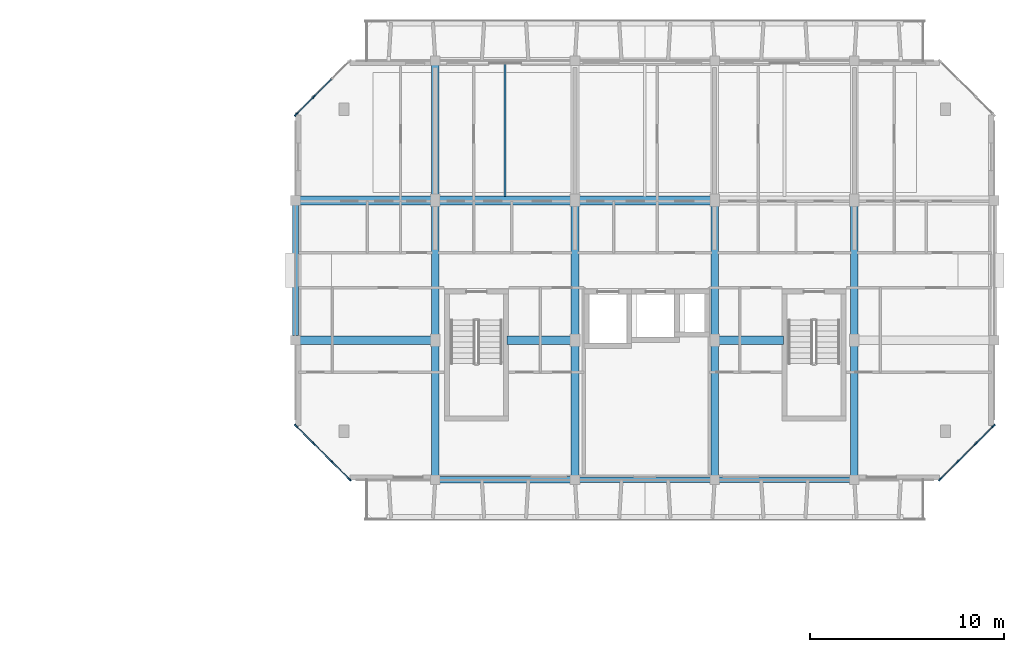
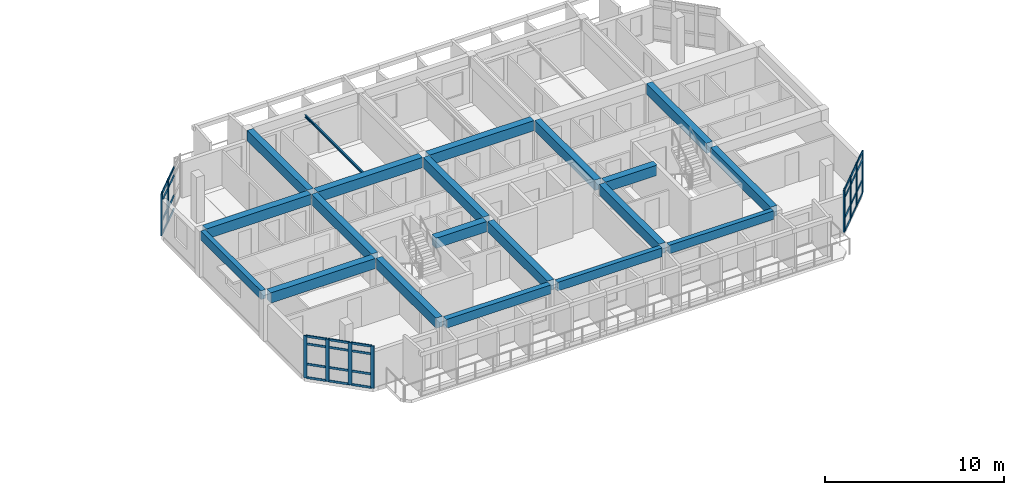
# One storey, part 9 of 40: 42 members, 20 beams, 3 elements without a shape of their own.
"""IFC4 building model written with IfcOpenShell, lengths in metres."""

from ifc_helpers import new_model, si_unit, direction, frame, origin, origin_2d, place, context, subcontext, project, spatial, rectangle, i_section, extrude, material, layer, layer_set, material_profile, profile_set, type_object, element, aggregate, save


model = new_model("IFC4")

# Units and contexts
model_context = context("Model", 3, precision=1e-05, world=origin(), true_north=direction((0.0, 1.0)))
body_context = subcontext(model_context, "Body", "Model", "MODEL_VIEW")
ifc_project = project(units=[si_unit("LENGTHUNIT", "METRE"), si_unit("AREAUNIT", "SQUARE_METRE"), si_unit("VOLUMEUNIT", "CUBIC_METRE"), si_unit("PLANEANGLEUNIT", "RADIAN"), si_unit("MASSUNIT", "GRAM", prefix="KILO")], contexts=[model_context])

# Site, building, storey
site_placement = place(None, origin())
site = spatial("IfcSite", under=ifc_project, at=site_placement, CompositionType="ELEMENT")
building_placement = place(site_placement, origin())
building = spatial("IfcBuilding", under=site, at=building_placement, Name="Ochrevale Crest", CompositionType="ELEMENT")
storey_placement = place(building_placement, frame((0.0, 0.0, 27.60009765625)))
storey = spatial("IfcBuildingStorey", under=building, at=storey_placement, Name="L08", CompositionType="ELEMENT", Elevation=27.60009765625)

# Beams
ifc_material_1 = material(Name="Precast concrete C50/60", Category="concrete")
ifc_material_profile_1 = material_profile(ifc_material_1, rectangle(XDim=0.39990234375, YDim=0.699951171875, at=origin_2d()), Name="PC 400x700")
ifc_profile_set_1 = profile_set([ifc_material_profile_1], Name="Precast concrete C50/60")
beam_type_1 = type_object("IfcBeamType", Name="BM-PC400x700", PredefinedType="BEAM", material=ifc_profile_set_1)
for number, where, z_axis, x_axis, name in (
    (1, (136.800048828125, 72.22998046875, 2.7998046875), (0.0, 1.0, 0.0), (-1.0, 0.0, 0.0), "Block D L08 N-S beam X=136.8"),
    (2, (136.800048828125, 79.429931640625, 2.7998046875), (0.0, 1.0, 0.0), (-1.0, 0.0, 0.0), "Block D L08 N-S beam X=136.8"),
):
    element("IfcBeam", number, at=place(storey_placement, frame(where, z_axis=z_axis, x_axis=x_axis)), inside=storey, type_object=beam_type_1, Name=name, PredefinedType="BEAM", context=body_context, shape_type="SweptSolid", body=[
        extrude(rectangle(XDim=0.39990234375, YDim=0.699951171875, at=origin_2d()), origin(), (0.0, 0.0, 1.0), 6.739990234375),
    ])
beam_1_placement = place(storey_placement, frame((136.800048828125, 86.6298828125, 2.7998046875), z_axis=(0.0, 1.0, 0.0), x_axis=(-1.0, 0.0, 0.0)))
element("IfcBeam", 3, at=beam_1_placement, inside=storey, type_object=beam_type_1, Name="Block D L08 N-S beam X=136.8", PredefinedType="BEAM", context=body_context, shape_type="SweptSolid", body=[
    extrude(rectangle(XDim=0.39990234375, YDim=0.699951171875, at=origin_2d()), origin(), (0.0, 0.0, 1.0), 6.740234375),
])
for number, where, z_axis, x_axis, name in (
    (4, (144.0, 72.22998046875, 2.7998046875), (0.0, 1.0, 0.0), (-1.0, 0.0, 0.0), "Block D L08 N-S beam X=144.0"),
    (5, (144.0, 79.429931640625, 2.7998046875), (0.0, 1.0, 0.0), (-1.0, 0.0, 0.0), "Block D L08 N-S beam X=144.0"),
    (6, (151.199951171875, 72.22998046875, 2.7998046875), (0.0, 1.0, 0.0), (-1.0, 0.0, 0.0), "Block D L08 N-S beam X=151.2"),
    (7, (151.199951171875, 79.429931640625, 2.7998046875), (0.0, 1.0, 0.0), (-1.0, 0.0, 0.0), "Block D L08 N-S beam X=151.2"),
    (8, (158.39990234375, 72.22998046875, 2.7998046875), (0.0, 1.0, 0.0), (-1.0, 0.0, 0.0), "Block D L08 N-S beam X=158.4"),
    (9, (158.39990234375, 79.429931640625, 2.7998046875), (0.0, 1.0, 0.0), (-1.0, 0.0, 0.0), "Block D L08 N-S beam X=158.4"),
):
    element("IfcBeam", number, at=place(storey_placement, frame(where, z_axis=z_axis, x_axis=x_axis)), inside=storey, type_object=beam_type_1, Name=name, PredefinedType="BEAM", context=body_context, shape_type="SweptSolid", body=[
        extrude(rectangle(XDim=0.39990234375, YDim=0.699951171875, at=origin_2d()), origin(), (0.0, 0.0, 1.0), 6.739990234375),
    ])
ifc_material_2 = material(Name="Concrete C50/60", Category="concrete")
ifc_material_profile_2 = material_profile(ifc_material_2, rectangle(XDim=0.449951171875, YDim=0.699951171875, at=origin_2d()), Name="RC 450x700")
ifc_profile_set_2 = profile_set([ifc_material_profile_2], Name="Concrete C50/60")
beam_type_2 = type_object("IfcBeamType", Name="BM-PG450x700", PredefinedType="USERDEFINED", material=ifc_profile_set_2)
beam_2_placement = place(storey_placement, frame((129.824951171875, 79.199951171875, 2.7998046875), z_axis=(1.0, 0.0, 0.0), x_axis=(0.0, 1.0, 0.0)))
element("IfcBeam", 10, at=beam_2_placement, inside=storey, type_object=beam_type_2, Name="Block D L08 E-W beam Y=79.2", ObjectType="GIRDER", PredefinedType="USERDEFINED", context=body_context, shape_type="SweptSolid", body=[
    extrude(rectangle(XDim=0.449951171875, YDim=0.699951171875, at=origin_2d()), origin(), (0.0, 0.0, 1.0), 6.75),
])
beam_3_placement = place(storey_placement, frame((140.489990234375, 79.199951171875, 2.7998046875), z_axis=(1.0, 0.0, 0.0), x_axis=(0.0, 1.0, 0.0)))
element("IfcBeam", 11, at=beam_3_placement, inside=storey, type_object=beam_type_2, Name="Block D L08 E-W beam Y=79.2", ObjectType="GIRDER", PredefinedType="USERDEFINED", context=body_context, shape_type="SweptSolid", body=[
    extrude(rectangle(XDim=0.449951171875, YDim=0.699951171875, at=origin_2d()), origin(), (0.0, 0.0, 1.0), 3.284912109375),
])
beam_4_placement = place(storey_placement, frame((151.425048828125, 79.199951171875, 2.7998046875), z_axis=(1.0, 0.0, 0.0), x_axis=(0.0, 1.0, 0.0)))
element("IfcBeam", 12, at=beam_4_placement, inside=storey, type_object=beam_type_2, Name="Block D L08 E-W beam Y=79.2", ObjectType="GIRDER", PredefinedType="USERDEFINED", context=body_context, shape_type="SweptSolid", body=[
    extrude(rectangle(XDim=0.449951171875, YDim=0.699951171875, at=origin_2d()), origin(), (0.0, 0.0, 1.0), 3.3349609375),
])
for number, where, z_axis, x_axis, name in (
    (13, (129.824951171875, 86.39990234375, 2.7998046875), (1.0, 0.0, 0.0), (0.0, 1.0, 0.0), "Block D L08 E-W beam Y=86.4"),
    (14, (137.02490234375, 86.39990234375, 2.7998046875), (1.0, 0.0, 0.0), (0.0, 1.0, 0.0), "Block D L08 E-W beam Y=86.4"),
    (15, (144.22509765625, 86.39990234375, 2.7998046875), (1.0, 0.0, 0.0), (0.0, 1.0, 0.0), "Block D L08 E-W beam Y=86.4"),
):
    element("IfcBeam", number, at=place(storey_placement, frame(where, z_axis=z_axis, x_axis=x_axis)), inside=storey, type_object=beam_type_2, Name=name, ObjectType="GIRDER", PredefinedType="USERDEFINED", context=body_context, shape_type="SweptSolid", body=[
        extrude(rectangle(XDim=0.449951171875, YDim=0.699951171875, at=origin_2d()), origin(), (0.0, 0.0, 1.0), 6.75),
    ])
ifc_material_3 = material(Name="Precast concrete C40/50", Category="concrete")
ifc_material_profile_3 = material_profile(ifc_material_3, rectangle(XDim=0.300048828125, YDim=0.580078125, at=origin_2d()), Name="PC 300x580")
ifc_profile_set_3 = profile_set([ifc_material_profile_3], Name="Precast concrete C40/50")
beam_type_3 = type_object("IfcBeamType", Name="BM-SP300x580", PredefinedType="SPANDREL", material=ifc_profile_set_3)
beam_5_placement = place(storey_placement, frame((151.425048828125, 72.0, 2.85986328125), z_axis=(1.0, 0.0, 0.0), x_axis=(0.0, 1.0, 0.0)))
element("IfcBeam", 16, at=beam_5_placement, inside=storey, type_object=beam_type_3, Name="Block D L08 E-W beam Y=72.0", PredefinedType="SPANDREL", context=body_context, shape_type="SweptSolid", body=[
    extrude(rectangle(XDim=0.300048828125, YDim=0.580078125, at=origin_2d()), origin(), (0.0, 0.0, 1.0), 6.75),
])
ifc_material_profile_4 = material_profile(ifc_material_3, rectangle(XDim=0.300048828125, YDim=0.60009765625, at=origin_2d()), Name="PC 300x600")
ifc_profile_set_4 = profile_set([ifc_material_profile_4], Name="Precast concrete C40/50")
beam_type_4 = type_object("IfcBeamType", Name="BM-SP300x600", PredefinedType="SPANDREL", material=ifc_profile_set_4)
beam_6_placement = place(storey_placement, frame((144.22509765625, 72.0, 2.849853515625), z_axis=(1.0, 0.0, 0.0), x_axis=(0.0, 1.0, 0.0)))
element("IfcBeam", 17, at=beam_6_placement, inside=storey, type_object=beam_type_4, Name="Block D L08 E-W beam Y=72.0", PredefinedType="SPANDREL", context=body_context, shape_type="SweptSolid", body=[
    extrude(rectangle(XDim=0.300048828125, YDim=0.60009765625, at=origin_2d()), origin(), (0.0, 0.0, 1.0), 6.75),
])
beam_7_placement = place(storey_placement, frame((129.60009765625, 79.429931640625, 2.849853515625), z_axis=(0.0, 1.0, 0.0), x_axis=(-1.0, 0.0, 0.0)))
element("IfcBeam", 18, at=beam_7_placement, inside=storey, type_object=beam_type_4, Name="Block D L08 N-S beam X=129.6", PredefinedType="SPANDREL", context=body_context, shape_type="SweptSolid", body=[
    extrude(rectangle(XDim=0.300048828125, YDim=0.60009765625, at=origin_2d()), origin(), (0.0, 0.0, 1.0), 6.739990234375),
])
ifc_material_profile_5 = material_profile(ifc_material_3, rectangle(XDim=0.35009765625, YDim=0.60009765625, at=origin_2d()), Name="PC 350x600")
ifc_profile_set_5 = profile_set([ifc_material_profile_5], Name="Precast concrete C40/50")
beam_type_5 = type_object("IfcBeamType", Name="BM-SP350x600", PredefinedType="SPANDREL", material=ifc_profile_set_5)
beam_8_placement = place(storey_placement, frame((137.02490234375, 72.0, 2.849853515625), z_axis=(1.0, 0.0, 0.0), x_axis=(0.0, 1.0, 0.0)))
element("IfcBeam", 19, at=beam_8_placement, inside=storey, type_object=beam_type_5, Name="Block D L08 E-W beam Y=72.0", PredefinedType="SPANDREL", context=body_context, shape_type="SweptSolid", body=[
    extrude(rectangle(XDim=0.35009765625, YDim=0.60009765625, at=origin_2d()), origin(), (0.0, 0.0, 1.0), 6.75),
])
ifc_material_4 = material(Name="Steel S355", Category="steel")
ifc_material_profile_6 = material_profile(ifc_material_4, i_section(OverallWidth=0.090087890625, OverallDepth=0.1787109375, WebThickness=0.006103515625, FlangeThickness=0.010009765625, FilletRadius=0.0087890625, at=origin_2d()), Name="180UB22.2")
ifc_profile_set_6 = profile_set([ifc_material_profile_6], Name="Steel S355")
beam_type_6 = type_object("IfcBeamType", Name="BM-UB180", PredefinedType="JOIST", material=ifc_profile_set_6)
beam_9_placement = place(storey_placement, frame((140.39990234375, 86.613037109375, 2.785400390625), z_axis=(0.0, 1.0, 0.0), x_axis=(-1.0, 0.0, 0.0)))
element("IfcBeam", 20, at=beam_9_placement, inside=storey, type_object=beam_type_6, Name="Block D L08 composite plank trimmer beam 2", PredefinedType="JOIST", context=body_context, shape_type="SweptSolid", body=[
    extrude(i_section(OverallWidth=0.090087890625, OverallDepth=0.1787109375, WebThickness=0.006103515625, FlangeThickness=0.010009765625, FilletRadius=0.0087890625, at=origin_2d()), origin(), (0.0, 0.0, 1.0), 6.823974609375),
])

# Curtain wall, members
ifc_material_5 = material(Name="Anodised aluminium 6063-T5", Category="aluminium")
ifc_layer_1 = layer(ifc_material_5, 0.14990234375)
ifc_layer_set_1 = layer_set([ifc_layer_1], Name="Anodised aluminium 6063-T5")
curtain_wall_type_1 = type_object("IfcCurtainWallType", Name="CW-WG-240x285", PredefinedType="NOTDEFINED", material=ifc_layer_set_1)
curtain_wall_1_placement = place(storey_placement, origin())
curtain_wall_1 = element("IfcCurtainWall", 21, at=curtain_wall_1_placement, inside=storey, type_object=curtain_wall_type_1, Name="Block D L08 chamfered corner wintergarden curtain wall 2", PredefinedType="NOTDEFINED")
ifc_material_profile_7 = material_profile(ifc_material_5, rectangle(XDim=0.074951171875, YDim=0.219970703125, at=origin_2d()), Name="ALU 75x220")
ifc_profile_set_7 = profile_set([ifc_material_profile_7], Name="Anodised aluminium 6063-T5")
member_type_1 = type_object("IfcMemberType", Name="CW-MUL-75x220", PredefinedType="MULLION", material=ifc_profile_set_7)
member_1_placement = place(storey_placement, frame((162.826416015625, 72.026611328125, 0.0), z_axis=(0.0, 0.0, 1.0), x_axis=(-0.707106781187, 0.707106781187, 0.0)))
member_1 = element("IfcMember", 22, at=member_1_placement, type_object=member_type_1, Name="CW15 mullion 1", PredefinedType="MULLION", context=body_context, shape_type="SweptSolid", body=[
    extrude(rectangle(XDim=0.074951171875, YDim=0.219970703125, at=origin_2d()), origin(), (0.0, 0.0, 1.0), 2.875),
])
member_2_placement = place(storey_placement, frame((163.7333984375, 72.933349609375, 0.0), z_axis=(0.0, 0.0, 1.0), x_axis=(-0.707106781187, 0.707106781187, 0.0)))
member_2 = element("IfcMember", 23, at=member_2_placement, type_object=member_type_1, Name="CW15 mullion 2", PredefinedType="MULLION", context=body_context, shape_type="SweptSolid", body=[
    extrude(rectangle(XDim=0.074951171875, YDim=0.219970703125, at=origin_2d()), origin(), (0.0, 0.0, 1.0), 2.875),
])
member_3_placement = place(storey_placement, frame((164.666748046875, 73.86669921875, 0.0), z_axis=(0.0, 0.0, 1.0), x_axis=(-0.707106781187, 0.707106781187, 0.0)))
member_3 = element("IfcMember", 24, at=member_3_placement, type_object=member_type_1, Name="CW15 mullion 3", PredefinedType="MULLION", context=body_context, shape_type="SweptSolid", body=[
    extrude(rectangle(XDim=0.074951171875, YDim=0.219970703125, at=origin_2d()), origin(), (0.0, 0.0, 1.0), 2.875),
])
member_4_placement = place(storey_placement, frame((165.573486328125, 74.7734375, 0.0), z_axis=(0.0, 0.0, 1.0), x_axis=(-0.707106781187, 0.707106781187, 0.0)))
member_4 = element("IfcMember", 25, at=member_4_placement, type_object=member_type_1, Name="CW15 mullion 4", PredefinedType="MULLION", context=body_context, shape_type="SweptSolid", body=[
    extrude(rectangle(XDim=0.074951171875, YDim=0.219970703125, at=origin_2d()), origin(), (0.0, 0.0, 1.0), 2.875),
])

ifc_layer_2 = layer(ifc_material_5, 0.14990234375)
ifc_layer_set_2 = layer_set([ifc_layer_2], Name="Anodised aluminium 6063-T5")
curtain_wall_type_2 = type_object("IfcCurtainWallType", Name="CW-WG-420x285", PredefinedType="NOTDEFINED", material=ifc_layer_set_2)
curtain_wall_2_placement = place(storey_placement, origin())
curtain_wall_2 = element("IfcCurtainWall", 26, at=curtain_wall_2_placement, inside=storey, type_object=curtain_wall_type_2, Name="Block D L08 chamfered corner wintergarden curtain wall 6", PredefinedType="NOTDEFINED")
member_5_placement = place(storey_placement, frame((130.533447265625, 91.7333984375, 0.0), z_axis=(0.0, 0.0, 1.0), x_axis=(0.707106781187, -0.707106781187, 0.0)))
member_5 = element("IfcMember", 27, at=member_5_placement, type_object=member_type_1, Name="CW22 mullion 3", PredefinedType="MULLION", context=body_context, shape_type="SweptSolid", body=[
    extrude(rectangle(XDim=0.074951171875, YDim=0.219970703125, at=origin_2d()), origin(), (0.0, 0.0, 1.0), 2.875),
])
member_6_placement = place(storey_placement, frame((129.62646484375, 90.826416015625, 0.0), z_axis=(0.0, 0.0, 1.0), x_axis=(0.707106781187, -0.707106781187, 0.0)))
member_6 = element("IfcMember", 28, at=member_6_placement, type_object=member_type_1, Name="CW22 mullion 4", PredefinedType="MULLION", context=body_context, shape_type="SweptSolid", body=[
    extrude(rectangle(XDim=0.074951171875, YDim=0.219970703125, at=origin_2d()), origin(), (0.0, 0.0, 1.0), 2.875),
])

ifc_layer_3 = layer(ifc_material_5, 0.14990234375)
ifc_layer_set_3 = layer_set([ifc_layer_3], Name="Anodised aluminium 6063-T5")
curtain_wall_type_3 = type_object("IfcCurtainWallType", Name="CW-WG-280x285", PredefinedType="NOTDEFINED", material=ifc_layer_set_3)
curtain_wall_3_placement = place(storey_placement, origin())
curtain_wall_3 = element("IfcCurtainWall", 29, at=curtain_wall_3_placement, inside=storey, type_object=curtain_wall_type_3, Name="Block D L08 chamfered corner wintergarden curtain wall 8", PredefinedType="NOTDEFINED")
member_7_placement = place(storey_placement, frame((129.62646484375, 74.7734375, 0.0), z_axis=(0.0, 0.0, 1.0), x_axis=(0.707106781187, 0.707106781187, 0.0)))
member_7 = element("IfcMember", 30, at=member_7_placement, type_object=member_type_1, Name="CW16 mullion 1", PredefinedType="MULLION", context=body_context, shape_type="SweptSolid", body=[
    extrude(rectangle(XDim=0.074951171875, YDim=0.219970703125, at=origin_2d()), origin(), (0.0, 0.0, 1.0), 2.875),
])
member_8_placement = place(storey_placement, frame((130.533447265625, 73.86669921875, 0.0), z_axis=(0.0, 0.0, 1.0), x_axis=(0.707106781187, 0.707106781187, 0.0)))
member_8 = element("IfcMember", 31, at=member_8_placement, type_object=member_type_1, Name="CW16 mullion 2", PredefinedType="MULLION", context=body_context, shape_type="SweptSolid", body=[
    extrude(rectangle(XDim=0.074951171875, YDim=0.219970703125, at=origin_2d()), origin(), (0.0, 0.0, 1.0), 2.875),
])
member_9_placement = place(storey_placement, frame((131.466552734375, 72.933349609375, 0.0), z_axis=(0.0, 0.0, 1.0), x_axis=(0.707106781187, 0.707106781187, 0.0)))
member_9 = element("IfcMember", 32, at=member_9_placement, type_object=member_type_1, Name="CW16 mullion 3", PredefinedType="MULLION", context=body_context, shape_type="SweptSolid", body=[
    extrude(rectangle(XDim=0.074951171875, YDim=0.219970703125, at=origin_2d()), origin(), (0.0, 0.0, 1.0), 2.875),
])
member_10_placement = place(storey_placement, frame((132.37353515625, 72.026611328125, 0.0), z_axis=(0.0, 0.0, 1.0), x_axis=(0.707106781187, 0.707106781187, 0.0)))
member_10 = element("IfcMember", 33, at=member_10_placement, type_object=member_type_1, Name="CW16 mullion 4", PredefinedType="MULLION", context=body_context, shape_type="SweptSolid", body=[
    extrude(rectangle(XDim=0.074951171875, YDim=0.219970703125, at=origin_2d()), origin(), (0.0, 0.0, 1.0), 2.875),
])

# Member
ifc_material_profile_8 = material_profile(ifc_material_5, rectangle(XDim=0.06005859375, YDim=0.14990234375, at=origin_2d()), Name="ALU 60x150")
ifc_profile_set_8 = profile_set([ifc_material_profile_8], Name="Anodised aluminium 6063-T5")
member_type_2 = type_object("IfcMemberType", Name="CW-TRN-60x150", PredefinedType="USERDEFINED", material=ifc_profile_set_8)
member_11_placement = place(storey_placement, frame((162.85302734375, 72.052978515625, 0.02978515625), z_axis=(0.707106781187, 0.707106781187, 0.0), x_axis=(-0.707106781187, 0.707106781187, 0.0)))
member_11 = element("IfcMember", 34, at=member_11_placement, type_object=member_type_2, Name="CW15 transom 1.1", ObjectType="TRANSOM", PredefinedType="USERDEFINED", context=body_context, shape_type="SweptSolid", body=[
    extrude(rectangle(XDim=0.06005859375, YDim=0.14990234375, at=origin_2d()), origin(), (0.0, 0.0, 1.0), 1.20751953125),
])

member_12_placement = place(storey_placement, frame((162.85302734375, 72.052978515625, 0.949951171875), z_axis=(0.707106781187, 0.707106781187, 0.0), x_axis=(-0.707106781187, 0.707106781187, 0.0)))
member_12 = element("IfcMember", 35, at=member_12_placement, type_object=member_type_2, Name="CW15 transom 1.2", ObjectType="TRANSOM", PredefinedType="USERDEFINED", context=body_context, shape_type="SweptSolid", body=[
    extrude(rectangle(XDim=0.06005859375, YDim=0.14990234375, at=origin_2d()), origin(), (0.0, 0.0, 1.0), 1.20751953125),
])

member_13_placement = place(storey_placement, frame((162.85302734375, 72.052978515625, 2.324951171875), z_axis=(0.707106781187, 0.707106781187, 0.0), x_axis=(-0.707106781187, 0.707106781187, 0.0)))
member_13 = element("IfcMember", 36, at=member_13_placement, type_object=member_type_2, Name="CW15 transom 1.3", ObjectType="TRANSOM", PredefinedType="USERDEFINED", context=body_context, shape_type="SweptSolid", body=[
    extrude(rectangle(XDim=0.06005859375, YDim=0.14990234375, at=origin_2d()), origin(), (0.0, 0.0, 1.0), 1.20751953125),
])

member_14_placement = place(storey_placement, frame((162.85302734375, 72.052978515625, 2.844970703125), z_axis=(0.707106781187, 0.707106781187, 0.0), x_axis=(-0.707106781187, 0.707106781187, 0.0)))
member_14 = element("IfcMember", 37, at=member_14_placement, type_object=member_type_2, Name="CW15 transom 1.4", ObjectType="TRANSOM", PredefinedType="USERDEFINED", context=body_context, shape_type="SweptSolid", body=[
    extrude(rectangle(XDim=0.06005859375, YDim=0.14990234375, at=origin_2d()), origin(), (0.0, 0.0, 1.0), 1.20751953125),
])

member_15_placement = place(storey_placement, frame((163.759765625, 72.9599609375, 0.02978515625), z_axis=(0.707204833848, 0.707008714926, 0.0), x_axis=(-0.707008714926, 0.707204833848, 0.0)))
member_15 = element("IfcMember", 38, at=member_15_placement, type_object=member_type_2, Name="CW15 transom 2.1", ObjectType="TRANSOM", PredefinedType="USERDEFINED", context=body_context, shape_type="SweptSolid", body=[
    extrude(rectangle(XDim=0.06005859375, YDim=0.14990234375, at=origin_2d()), origin(), (0.0, 0.0, 1.0), 1.244873046875),
])

member_16_placement = place(storey_placement, frame((163.759765625, 72.9599609375, 0.949951171875), z_axis=(0.707204833848, 0.707008714926, 0.0), x_axis=(-0.707008714926, 0.707204833848, 0.0)))
member_16 = element("IfcMember", 39, at=member_16_placement, type_object=member_type_2, Name="CW15 transom 2.2", ObjectType="TRANSOM", PredefinedType="USERDEFINED", context=body_context, shape_type="SweptSolid", body=[
    extrude(rectangle(XDim=0.06005859375, YDim=0.14990234375, at=origin_2d()), origin(), (0.0, 0.0, 1.0), 1.244873046875),
])

member_17_placement = place(storey_placement, frame((163.759765625, 72.9599609375, 2.324951171875), z_axis=(0.707204833848, 0.707008714926, 0.0), x_axis=(-0.707008714926, 0.707204833848, 0.0)))
member_17 = element("IfcMember", 40, at=member_17_placement, type_object=member_type_2, Name="CW15 transom 2.3", ObjectType="TRANSOM", PredefinedType="USERDEFINED", context=body_context, shape_type="SweptSolid", body=[
    extrude(rectangle(XDim=0.06005859375, YDim=0.14990234375, at=origin_2d()), origin(), (0.0, 0.0, 1.0), 1.244873046875),
])

member_18_placement = place(storey_placement, frame((163.759765625, 72.9599609375, 2.844970703125), z_axis=(0.707204833848, 0.707008714926, 0.0), x_axis=(-0.707008714926, 0.707204833848, 0.0)))
member_18 = element("IfcMember", 41, at=member_18_placement, type_object=member_type_2, Name="CW15 transom 2.4", ObjectType="TRANSOM", PredefinedType="USERDEFINED", context=body_context, shape_type="SweptSolid", body=[
    extrude(rectangle(XDim=0.06005859375, YDim=0.14990234375, at=origin_2d()), origin(), (0.0, 0.0, 1.0), 1.244873046875),
])

member_19_placement = place(storey_placement, frame((164.693115234375, 73.89306640625, 0.02978515625), z_axis=(0.707005686502, 0.70720786142, 0.0), x_axis=(-0.70720786142, 0.707005686502, 0.0)))
member_19 = element("IfcMember", 42, at=member_19_placement, type_object=member_type_2, Name="CW15 transom 3.1", ObjectType="TRANSOM", PredefinedType="USERDEFINED", context=body_context, shape_type="SweptSolid", body=[
    extrude(rectangle(XDim=0.06005859375, YDim=0.14990234375, at=origin_2d()), origin(), (0.0, 0.0, 1.0), 1.20751953125),
])

member_20_placement = place(storey_placement, frame((164.693115234375, 73.89306640625, 0.949951171875), z_axis=(0.707005686502, 0.70720786142, 0.0), x_axis=(-0.70720786142, 0.707005686502, 0.0)))
member_20 = element("IfcMember", 43, at=member_20_placement, type_object=member_type_2, Name="CW15 transom 3.2", ObjectType="TRANSOM", PredefinedType="USERDEFINED", context=body_context, shape_type="SweptSolid", body=[
    extrude(rectangle(XDim=0.06005859375, YDim=0.14990234375, at=origin_2d()), origin(), (0.0, 0.0, 1.0), 1.20751953125),
])

member_21_placement = place(storey_placement, frame((164.693115234375, 73.89306640625, 2.324951171875), z_axis=(0.707005686502, 0.70720786142, 0.0), x_axis=(-0.70720786142, 0.707005686502, 0.0)))
member_21 = element("IfcMember", 44, at=member_21_placement, type_object=member_type_2, Name="CW15 transom 3.3", ObjectType="TRANSOM", PredefinedType="USERDEFINED", context=body_context, shape_type="SweptSolid", body=[
    extrude(rectangle(XDim=0.06005859375, YDim=0.14990234375, at=origin_2d()), origin(), (0.0, 0.0, 1.0), 1.20751953125),
])

member_22_placement = place(storey_placement, frame((164.693115234375, 73.89306640625, 2.844970703125), z_axis=(0.707005686502, 0.70720786142, 0.0), x_axis=(-0.70720786142, 0.707005686502, 0.0)))
member_22 = element("IfcMember", 45, at=member_22_placement, type_object=member_type_2, Name="CW15 transom 3.4", ObjectType="TRANSOM", PredefinedType="USERDEFINED", context=body_context, shape_type="SweptSolid", body=[
    extrude(rectangle(XDim=0.06005859375, YDim=0.14990234375, at=origin_2d()), origin(), (0.0, 0.0, 1.0), 1.20751953125),
])

aggregate(curtain_wall_1, [member_1, member_2, member_3, member_4, member_11, member_12, member_13, member_14, member_15, member_16, member_17, member_18, member_19, member_20, member_21, member_22])

member_23_placement = place(storey_placement, frame((131.440185546875, 92.64013671875, 0.02978515625), z_axis=(-0.707106781187, -0.707106781187, 0.0), x_axis=(0.707106781187, -0.707106781187, 0.0)))
member_23 = element("IfcMember", 46, at=member_23_placement, type_object=member_type_2, Name="CW22 transom 2.1", ObjectType="TRANSOM", PredefinedType="USERDEFINED", context=body_context, shape_type="SweptSolid", body=[
    extrude(rectangle(XDim=0.06005859375, YDim=0.14990234375, at=origin_2d()), origin(), (0.0, 0.0, 1.0), 1.2451171875),
])

member_24_placement = place(storey_placement, frame((131.440185546875, 92.64013671875, 0.949951171875), z_axis=(-0.707106781187, -0.707106781187, 0.0), x_axis=(0.707106781187, -0.707106781187, 0.0)))
member_24 = element("IfcMember", 47, at=member_24_placement, type_object=member_type_2, Name="CW22 transom 2.2", ObjectType="TRANSOM", PredefinedType="USERDEFINED", context=body_context, shape_type="SweptSolid", body=[
    extrude(rectangle(XDim=0.06005859375, YDim=0.14990234375, at=origin_2d()), origin(), (0.0, 0.0, 1.0), 1.2451171875),
])

member_25_placement = place(storey_placement, frame((131.440185546875, 92.64013671875, 2.324951171875), z_axis=(-0.707106781187, -0.707106781187, 0.0), x_axis=(0.707106781187, -0.707106781187, 0.0)))
member_25 = element("IfcMember", 48, at=member_25_placement, type_object=member_type_2, Name="CW22 transom 2.3", ObjectType="TRANSOM", PredefinedType="USERDEFINED", context=body_context, shape_type="SweptSolid", body=[
    extrude(rectangle(XDim=0.06005859375, YDim=0.14990234375, at=origin_2d()), origin(), (0.0, 0.0, 1.0), 1.2451171875),
])

member_26_placement = place(storey_placement, frame((131.440185546875, 92.64013671875, 2.844970703125), z_axis=(-0.707106781187, -0.707106781187, 0.0), x_axis=(0.707106781187, -0.707106781187, 0.0)))
member_26 = element("IfcMember", 49, at=member_26_placement, type_object=member_type_2, Name="CW22 transom 2.4", ObjectType="TRANSOM", PredefinedType="USERDEFINED", context=body_context, shape_type="SweptSolid", body=[
    extrude(rectangle(XDim=0.06005859375, YDim=0.14990234375, at=origin_2d()), origin(), (0.0, 0.0, 1.0), 1.2451171875),
])

member_27_placement = place(storey_placement, frame((130.5068359375, 91.706787109375, 0.02978515625), z_axis=(-0.707106781187, -0.707106781187, 0.0), x_axis=(0.707106781187, -0.707106781187, 0.0)))
member_27 = element("IfcMember", 50, at=member_27_placement, type_object=member_type_2, Name="CW22 transom 3.1", ObjectType="TRANSOM", PredefinedType="USERDEFINED", context=body_context, shape_type="SweptSolid", body=[
    extrude(rectangle(XDim=0.06005859375, YDim=0.14990234375, at=origin_2d()), origin(), (0.0, 0.0, 1.0), 1.20751953125),
])

member_28_placement = place(storey_placement, frame((130.5068359375, 91.706787109375, 0.949951171875), z_axis=(-0.707106781187, -0.707106781187, 0.0), x_axis=(0.707106781187, -0.707106781187, 0.0)))
member_28 = element("IfcMember", 51, at=member_28_placement, type_object=member_type_2, Name="CW22 transom 3.2", ObjectType="TRANSOM", PredefinedType="USERDEFINED", context=body_context, shape_type="SweptSolid", body=[
    extrude(rectangle(XDim=0.06005859375, YDim=0.14990234375, at=origin_2d()), origin(), (0.0, 0.0, 1.0), 1.20751953125),
])

member_29_placement = place(storey_placement, frame((130.5068359375, 91.706787109375, 2.324951171875), z_axis=(-0.707106781187, -0.707106781187, 0.0), x_axis=(0.707106781187, -0.707106781187, 0.0)))
member_29 = element("IfcMember", 52, at=member_29_placement, type_object=member_type_2, Name="CW22 transom 3.3", ObjectType="TRANSOM", PredefinedType="USERDEFINED", context=body_context, shape_type="SweptSolid", body=[
    extrude(rectangle(XDim=0.06005859375, YDim=0.14990234375, at=origin_2d()), origin(), (0.0, 0.0, 1.0), 1.20751953125),
])

member_30_placement = place(storey_placement, frame((130.5068359375, 91.706787109375, 2.844970703125), z_axis=(-0.707106781187, -0.707106781187, 0.0), x_axis=(0.707106781187, -0.707106781187, 0.0)))
member_30 = element("IfcMember", 53, at=member_30_placement, type_object=member_type_2, Name="CW22 transom 3.4", ObjectType="TRANSOM", PredefinedType="USERDEFINED", context=body_context, shape_type="SweptSolid", body=[
    extrude(rectangle(XDim=0.06005859375, YDim=0.14990234375, at=origin_2d()), origin(), (0.0, 0.0, 1.0), 1.20751953125),
])

aggregate(curtain_wall_2, [member_5, member_6, member_23, member_24, member_25, member_26, member_27, member_28, member_29, member_30])

member_31_placement = place(storey_placement, frame((129.653076171875, 74.7470703125, 0.02978515625), z_axis=(0.707005686502, -0.70720786142, 0.0), x_axis=(0.70720786142, 0.707005686502, 0.0)))
member_31 = element("IfcMember", 54, at=member_31_placement, type_object=member_type_2, Name="CW16 transom 1.1", ObjectType="TRANSOM", PredefinedType="USERDEFINED", context=body_context, shape_type="SweptSolid", body=[
    extrude(rectangle(XDim=0.06005859375, YDim=0.14990234375, at=origin_2d()), origin(), (0.0, 0.0, 1.0), 1.20751953125),
])

member_32_placement = place(storey_placement, frame((129.653076171875, 74.7470703125, 0.949951171875), z_axis=(0.707005686502, -0.70720786142, 0.0), x_axis=(0.70720786142, 0.707005686502, 0.0)))
member_32 = element("IfcMember", 55, at=member_32_placement, type_object=member_type_2, Name="CW16 transom 1.2", ObjectType="TRANSOM", PredefinedType="USERDEFINED", context=body_context, shape_type="SweptSolid", body=[
    extrude(rectangle(XDim=0.06005859375, YDim=0.14990234375, at=origin_2d()), origin(), (0.0, 0.0, 1.0), 1.20751953125),
])

member_33_placement = place(storey_placement, frame((129.653076171875, 74.7470703125, 2.324951171875), z_axis=(0.707005686502, -0.70720786142, 0.0), x_axis=(0.70720786142, 0.707005686502, 0.0)))
member_33 = element("IfcMember", 56, at=member_33_placement, type_object=member_type_2, Name="CW16 transom 1.3", ObjectType="TRANSOM", PredefinedType="USERDEFINED", context=body_context, shape_type="SweptSolid", body=[
    extrude(rectangle(XDim=0.06005859375, YDim=0.14990234375, at=origin_2d()), origin(), (0.0, 0.0, 1.0), 1.20751953125),
])

member_34_placement = place(storey_placement, frame((129.653076171875, 74.7470703125, 2.844970703125), z_axis=(0.707005686502, -0.70720786142, 0.0), x_axis=(0.70720786142, 0.707005686502, 0.0)))
member_34 = element("IfcMember", 57, at=member_34_placement, type_object=member_type_2, Name="CW16 transom 1.4", ObjectType="TRANSOM", PredefinedType="USERDEFINED", context=body_context, shape_type="SweptSolid", body=[
    extrude(rectangle(XDim=0.06005859375, YDim=0.14990234375, at=origin_2d()), origin(), (0.0, 0.0, 1.0), 1.20751953125),
])

member_35_placement = place(storey_placement, frame((130.559814453125, 73.840087890625, 0.02978515625), z_axis=(0.707204833848, -0.707008714926, 0.0), x_axis=(0.707008714926, 0.707204833848, 0.0)))
member_35 = element("IfcMember", 58, at=member_35_placement, type_object=member_type_2, Name="CW16 transom 2.1", ObjectType="TRANSOM", PredefinedType="USERDEFINED", context=body_context, shape_type="SweptSolid", body=[
    extrude(rectangle(XDim=0.06005859375, YDim=0.14990234375, at=origin_2d()), origin(), (0.0, 0.0, 1.0), 1.244873046875),
])

member_36_placement = place(storey_placement, frame((130.559814453125, 73.840087890625, 0.949951171875), z_axis=(0.707204833848, -0.707008714926, 0.0), x_axis=(0.707008714926, 0.707204833848, 0.0)))
member_36 = element("IfcMember", 59, at=member_36_placement, type_object=member_type_2, Name="CW16 transom 2.2", ObjectType="TRANSOM", PredefinedType="USERDEFINED", context=body_context, shape_type="SweptSolid", body=[
    extrude(rectangle(XDim=0.06005859375, YDim=0.14990234375, at=origin_2d()), origin(), (0.0, 0.0, 1.0), 1.244873046875),
])

member_37_placement = place(storey_placement, frame((130.559814453125, 73.840087890625, 2.324951171875), z_axis=(0.707204833848, -0.707008714926, 0.0), x_axis=(0.707008714926, 0.707204833848, 0.0)))
member_37 = element("IfcMember", 60, at=member_37_placement, type_object=member_type_2, Name="CW16 transom 2.3", ObjectType="TRANSOM", PredefinedType="USERDEFINED", context=body_context, shape_type="SweptSolid", body=[
    extrude(rectangle(XDim=0.06005859375, YDim=0.14990234375, at=origin_2d()), origin(), (0.0, 0.0, 1.0), 1.244873046875),
])

member_38_placement = place(storey_placement, frame((130.559814453125, 73.840087890625, 2.844970703125), z_axis=(0.707204833848, -0.707008714926, 0.0), x_axis=(0.707008714926, 0.707204833848, 0.0)))
member_38 = element("IfcMember", 61, at=member_38_placement, type_object=member_type_2, Name="CW16 transom 2.4", ObjectType="TRANSOM", PredefinedType="USERDEFINED", context=body_context, shape_type="SweptSolid", body=[
    extrude(rectangle(XDim=0.06005859375, YDim=0.14990234375, at=origin_2d()), origin(), (0.0, 0.0, 1.0), 1.244873046875),
])

member_39_placement = place(storey_placement, frame((131.4931640625, 72.90673828125, 0.02978515625), z_axis=(0.707106781187, -0.707106781187, 0.0), x_axis=(0.707106781187, 0.707106781187, 0.0)))
member_39 = element("IfcMember", 62, at=member_39_placement, type_object=member_type_2, Name="CW16 transom 3.1", ObjectType="TRANSOM", PredefinedType="USERDEFINED", context=body_context, shape_type="SweptSolid", body=[
    extrude(rectangle(XDim=0.06005859375, YDim=0.14990234375, at=origin_2d()), origin(), (0.0, 0.0, 1.0), 1.20751953125),
])

member_40_placement = place(storey_placement, frame((131.4931640625, 72.90673828125, 0.949951171875), z_axis=(0.707106781187, -0.707106781187, 0.0), x_axis=(0.707106781187, 0.707106781187, 0.0)))
member_40 = element("IfcMember", 63, at=member_40_placement, type_object=member_type_2, Name="CW16 transom 3.2", ObjectType="TRANSOM", PredefinedType="USERDEFINED", context=body_context, shape_type="SweptSolid", body=[
    extrude(rectangle(XDim=0.06005859375, YDim=0.14990234375, at=origin_2d()), origin(), (0.0, 0.0, 1.0), 1.20751953125),
])

member_41_placement = place(storey_placement, frame((131.4931640625, 72.90673828125, 2.324951171875), z_axis=(0.707106781187, -0.707106781187, 0.0), x_axis=(0.707106781187, 0.707106781187, 0.0)))
member_41 = element("IfcMember", 64, at=member_41_placement, type_object=member_type_2, Name="CW16 transom 3.3", ObjectType="TRANSOM", PredefinedType="USERDEFINED", context=body_context, shape_type="SweptSolid", body=[
    extrude(rectangle(XDim=0.06005859375, YDim=0.14990234375, at=origin_2d()), origin(), (0.0, 0.0, 1.0), 1.20751953125),
])

member_42_placement = place(storey_placement, frame((131.4931640625, 72.90673828125, 2.844970703125), z_axis=(0.707106781187, -0.707106781187, 0.0), x_axis=(0.707106781187, 0.707106781187, 0.0)))
member_42 = element("IfcMember", 65, at=member_42_placement, type_object=member_type_2, Name="CW16 transom 3.4", ObjectType="TRANSOM", PredefinedType="USERDEFINED", context=body_context, shape_type="SweptSolid", body=[
    extrude(rectangle(XDim=0.06005859375, YDim=0.14990234375, at=origin_2d()), origin(), (0.0, 0.0, 1.0), 1.20751953125),
])

aggregate(curtain_wall_3, [member_7, member_8, member_9, member_10, member_31, member_32, member_33, member_34, member_35, member_36, member_37, member_38, member_39, member_40, member_41, member_42])

save(model, "model.ifc")
